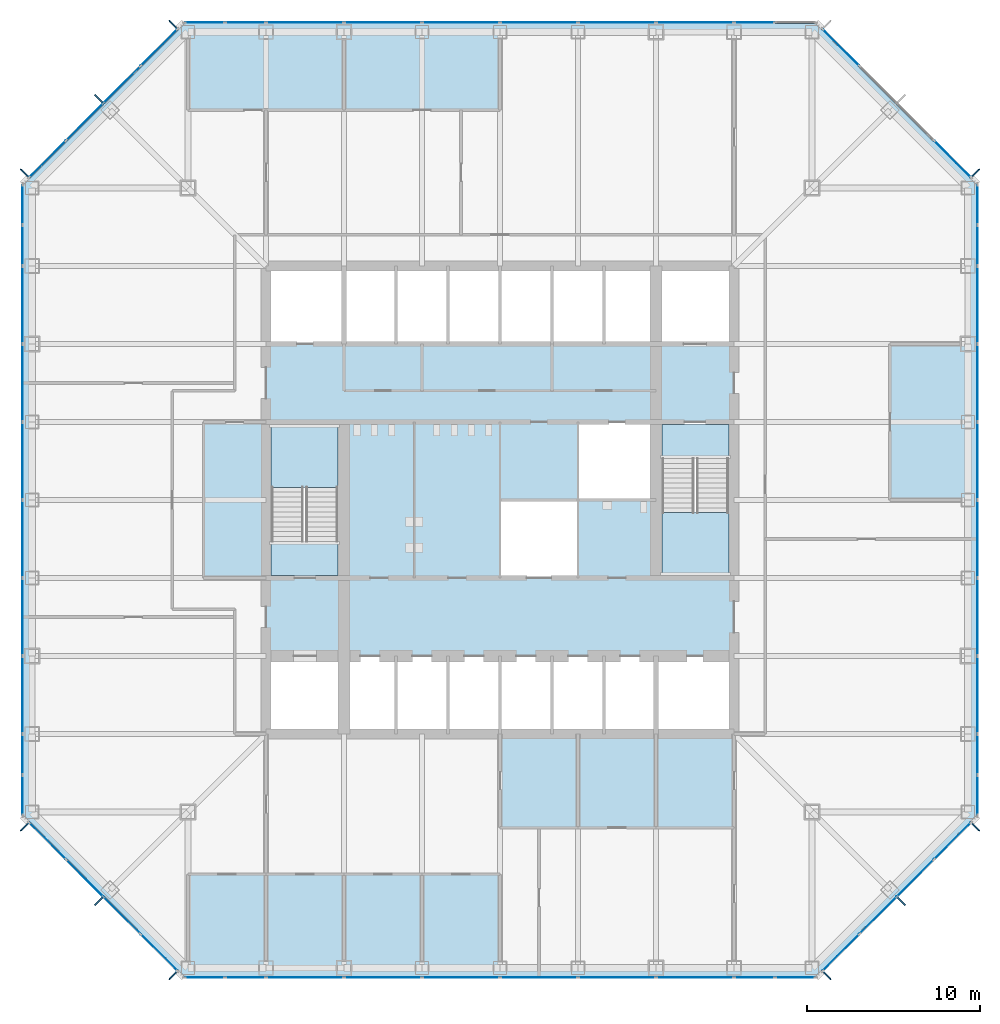
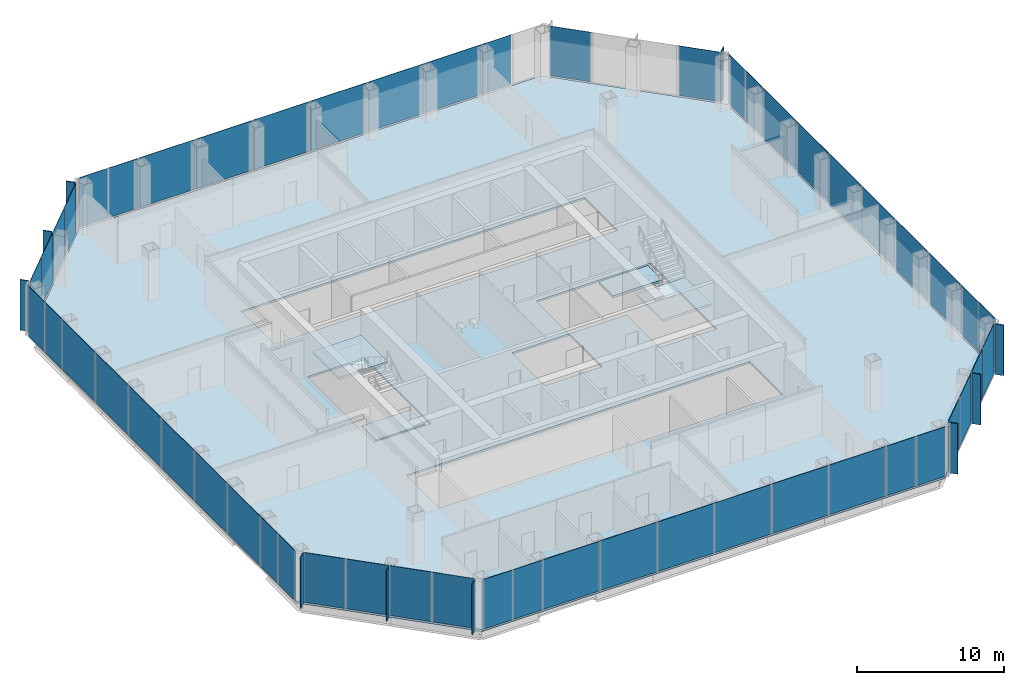
# One storey, part 7 of 13: 63 plates, 5 slabs, 10 elements without a shape of their own.
"""IFC4 building model written with IfcOpenShell, lengths in metres."""

from ifc_helpers import new_model, si_unit, direction, frame, origin, origin_2d, place, context, subcontext, project, spatial, polyline, rectangle, outline, extrude, material, layer, layer_set, type_object, element, aggregate, save


model = new_model("IFC4")

# Units and contexts
model_context = context("Model", 3, precision=1e-05, world=origin(), true_north=direction((0.0, 1.0)))
body_context = subcontext(model_context, "Body", "Model", "MODEL_VIEW")
ifc_project = project(units=[si_unit("LENGTHUNIT", "METRE"), si_unit("AREAUNIT", "SQUARE_METRE"), si_unit("VOLUMEUNIT", "CUBIC_METRE"), si_unit("PLANEANGLEUNIT", "RADIAN"), si_unit("MASSUNIT", "GRAM", prefix="KILO")], contexts=[model_context])

# Site, building, storey
site_placement = place(None, origin())
site = spatial("IfcSite", under=ifc_project, at=site_placement, CompositionType="ELEMENT")
building_placement = place(site_placement, origin())
building = spatial("IfcBuilding", under=site, at=building_placement, Name="Corais Broadcast Tower", CompositionType="ELEMENT")
storey_placement = place(building_placement, frame((0.0, 0.0, 96.199951171875)))
storey = spatial("IfcBuildingStorey", under=building, at=storey_placement, Name="L21", CompositionType="ELEMENT", Elevation=96.199951171875)

# Slab
ifc_material_1 = material(Name="Concrete C30/37", Category="concrete")
ifc_layer_1 = layer(ifc_material_1, 0.159912109375)
ifc_layer_set_1 = layer_set([ifc_layer_1], Name="Concrete C30/37")
slab_type_1 = type_object("IfcSlabType", Name="Composite floor slab 160", PredefinedType="FLOOR", material=ifc_layer_set_1)
slab_1_placement = place(storey_placement, frame((0.0, 0.0, -0.159912109375)))
element("IfcSlab", 1, at=slab_1_placement, inside=storey, type_object=slab_type_1, Name="S160 floor slab L21", PredefinedType="FLOOR", context=body_context, shape_type="SweptSolid", body=[
    extrude(outline(polyline([(8.80126953125, -0.47998046875), (-0.47998046875, 8.80126953125), (-0.47998046875, 45.19873046875), (8.80126953125, 54.47998046875), (45.19873046875, 54.47998046875), (54.47998046875, 45.19873046875), (54.47998046875, 8.80126953125), (45.19873046875, -0.47998046875), (8.80126953125, -0.47998046875)]), holes=[polyline([(13.5, 18.0), (40.5, 18.0), (40.5, 13.5), (13.5, 13.5), (13.5, 18.0)]), polyline([(13.5, 22.5), (13.5, 31.5), (18.0, 31.5), (18.0, 22.5), (13.5, 22.5)]), polyline([(13.5, 40.5), (40.5, 40.5), (40.5, 36.0), (13.5, 36.0), (13.5, 40.5)]), polyline([(27.0, 22.5), (27.0, 27.0), (31.4951171875, 27.0), (31.4951171875, 27.0048828125), (31.5, 27.0048828125), (31.5, 31.5), (40.5, 31.5), (40.5, 22.5), (36.0, 22.5), (36.0, 27.0), (31.5048828125, 27.0), (31.5048828125, 26.9951171875), (31.5, 26.9951171875), (31.5, 22.5), (27.0, 22.5)])]), origin(), (0.0, 0.0, 1.0), 0.159912109375),
])

# Curtain wall, plates
ifc_material_2 = material(Name="Aluminium and glass", Category="aluminium")
curtain_wall_type = type_object("IfcCurtainWallType", Name="Unitised fritted curtain wall CW1", PredefinedType="NOTDEFINED", material=ifc_material_2)
curtain_wall_1_placement = place(storey_placement, origin())
curtain_wall_1 = element("IfcCurtainWall", 2, at=curtain_wall_1_placement, inside=storey, type_object=curtain_wall_type, Name="CW1 curtain wall L21 1", PredefinedType="NOTDEFINED")
ifc_material_3 = material(Name="Ceramic-fritted laminated glass", Category="glass")
ifc_layer_2 = layer(ifc_material_3, 0.030029296875)
ifc_layer_set_2 = layer_set([ifc_layer_2], Name="Ceramic-fritted laminated glass")
plate_type_1 = type_object("IfcPlateType", Name="Fritted glass panel CW1", PredefinedType="CURTAIN_PANEL", material=ifc_layer_set_2)
plate_1_placement = place(storey_placement, frame((7.330322265625, 0.891845703125, 0.06494140625), z_axis=(0.0, 0.0, 1.0), x_axis=(-0.707106781187, 0.707106781187, 0.0)))
plate_1 = element("IfcPlate", 3, at=plate_1_placement, type_object=plate_type_1, Name="CW1 panel 1", PredefinedType="CURTAIN_PANEL", context=body_context, shape_type="SweptSolid", body=[
    extrude(rectangle(XDim=2.9482421875, YDim=0.030029296875, at=origin_2d()), origin(), (0.0, 0.0, 1.0), 4.135009765625),
])
plate_2_placement = place(storey_placement, frame((3.0341796875, 5.18798828125, 0.06494140625), z_axis=(0.0, 0.0, 1.0), x_axis=(-0.707106781187, 0.707106781187, 0.0)))
plate_2 = element("IfcPlate", 4, at=plate_2_placement, type_object=plate_type_1, Name="CW1 panel 3", PredefinedType="CURTAIN_PANEL", context=body_context, shape_type="SweptSolid", body=[
    extrude(rectangle(XDim=2.98095703125, YDim=0.030029296875, at=origin_2d()), origin(), (0.0, 0.0, 1.0), 4.135009765625),
])

curtain_wall_2_placement = place(storey_placement, origin())
curtain_wall_2 = element("IfcCurtainWall", 5, at=curtain_wall_2_placement, inside=storey, type_object=curtain_wall_type, Name="CW1 curtain wall L21 2", PredefinedType="NOTDEFINED")
plate_3_placement = place(storey_placement, frame((-0.550048828125, 9.970458984375, 0.06494140625), z_axis=(0.0, 0.0, 1.0), x_axis=(0.0, 1.0, 0.0)))
plate_3 = element("IfcPlate", 6, at=plate_3_placement, type_object=plate_type_1, Name="CW1 panel 1", PredefinedType="CURTAIN_PANEL", context=body_context, shape_type="SweptSolid", body=[
    extrude(rectangle(XDim=2.266357421875, YDim=0.030029296875, at=origin_2d()), origin(), (0.0, 0.0, 1.0), 4.135009765625),
])
plate_4_placement = place(storey_placement, frame((-0.550048828125, 15.75, 0.06494140625), z_axis=(0.0, 0.0, 1.0), x_axis=(0.0, 1.0, 0.0)))
plate_4 = element("IfcPlate", 7, at=plate_4_placement, type_object=plate_type_1, Name="CW1 panel 3", PredefinedType="CURTAIN_PANEL", context=body_context, shape_type="SweptSolid", body=[
    extrude(rectangle(XDim=4.43505859375, YDim=0.030029296875, at=origin_2d()), origin(), (0.0, 0.0, 1.0), 4.135009765625),
])
plate_5_placement = place(storey_placement, frame((-0.550048828125, 24.75, 0.06494140625), z_axis=(0.0, 0.0, 1.0), x_axis=(0.0, 1.0, 0.0)))
plate_5 = element("IfcPlate", 8, at=plate_5_placement, type_object=plate_type_1, Name="CW1 panel 5", PredefinedType="CURTAIN_PANEL", context=body_context, shape_type="SweptSolid", body=[
    extrude(rectangle(XDim=4.43505859375, YDim=0.030029296875, at=origin_2d()), origin(), (0.0, 0.0, 1.0), 4.135009765625),
])
plate_6_placement = place(storey_placement, frame((-0.550048828125, 33.75, 0.06494140625), z_axis=(0.0, 0.0, 1.0), x_axis=(0.0, 1.0, 0.0)))
plate_6 = element("IfcPlate", 9, at=plate_6_placement, type_object=plate_type_1, Name="CW1 panel 7", PredefinedType="CURTAIN_PANEL", context=body_context, shape_type="SweptSolid", body=[
    extrude(rectangle(XDim=4.43505859375, YDim=0.030029296875, at=origin_2d()), origin(), (0.0, 0.0, 1.0), 4.135009765625),
])
plate_7_placement = place(storey_placement, frame((-0.550048828125, 41.681884765625, 0.06494140625), z_axis=(0.0, 0.0, 1.0), x_axis=(0.0, 1.0, 0.0)))
plate_7 = element("IfcPlate", 10, at=plate_7_placement, type_object=plate_type_1, Name="CW1 panel 9", PredefinedType="CURTAIN_PANEL", context=body_context, shape_type="SweptSolid", body=[
    extrude(rectangle(XDim=2.298828125, YDim=0.030029296875, at=origin_2d()), origin(), (0.0, 0.0, 1.0), 4.135009765625),
])

curtain_wall_3_placement = place(storey_placement, origin())
curtain_wall_3 = element("IfcCurtainWall", 11, at=curtain_wall_3_placement, inside=storey, type_object=curtain_wall_type, Name="CW1 curtain wall L21 3", PredefinedType="NOTDEFINED")
plate_8_placement = place(storey_placement, frame((0.891845703125, 46.669677734375, 0.06494140625), z_axis=(0.0, 0.0, 1.0), x_axis=(0.707106781187, 0.707106781187, 0.0)))
plate_8 = element("IfcPlate", 12, at=plate_8_placement, type_object=plate_type_1, Name="CW1 panel 1", PredefinedType="CURTAIN_PANEL", context=body_context, shape_type="SweptSolid", body=[
    extrude(rectangle(XDim=2.9482421875, YDim=0.030029296875, at=origin_2d()), origin(), (0.0, 0.0, 1.0), 4.135009765625),
])
plate_9_placement = place(storey_placement, frame((5.18798828125, 50.9658203125, 0.06494140625), z_axis=(0.0, 0.0, 1.0), x_axis=(0.707106781187, 0.707106781187, 0.0)))
plate_9 = element("IfcPlate", 13, at=plate_9_placement, type_object=plate_type_1, Name="CW1 panel 3", PredefinedType="CURTAIN_PANEL", context=body_context, shape_type="SweptSolid", body=[
    extrude(rectangle(XDim=2.98095703125, YDim=0.030029296875, at=origin_2d()), origin(), (0.0, 0.0, 1.0), 4.135009765625),
])

curtain_wall_4_placement = place(storey_placement, origin())
curtain_wall_4 = element("IfcCurtainWall", 14, at=curtain_wall_4_placement, inside=storey, type_object=curtain_wall_type, Name="CW1 curtain wall L21 4", PredefinedType="NOTDEFINED")
plate_10_placement = place(storey_placement, frame((9.970458984375, 54.550048828125, 0.06494140625), z_axis=(0.0, 0.0, 1.0), x_axis=(1.0, 0.0, 0.0)))
plate_10 = element("IfcPlate", 15, at=plate_10_placement, type_object=plate_type_1, Name="CW1 panel 1", PredefinedType="CURTAIN_PANEL", context=body_context, shape_type="SweptSolid", body=[
    extrude(rectangle(XDim=2.266357421875, YDim=0.030029296875, at=origin_2d()), origin(), (0.0, 0.0, 1.0), 4.135009765625),
])
plate_11_placement = place(storey_placement, frame((15.75, 54.550048828125, 0.06494140625), z_axis=(0.0, 0.0, 1.0), x_axis=(1.0, 0.0, 0.0)))
plate_11 = element("IfcPlate", 16, at=plate_11_placement, type_object=plate_type_1, Name="CW1 panel 3", PredefinedType="CURTAIN_PANEL", context=body_context, shape_type="SweptSolid", body=[
    extrude(rectangle(XDim=4.43505859375, YDim=0.030029296875, at=origin_2d()), origin(), (0.0, 0.0, 1.0), 4.135009765625),
])
plate_12_placement = place(storey_placement, frame((24.75, 54.550048828125, 0.06494140625), z_axis=(0.0, 0.0, 1.0), x_axis=(1.0, 0.0, 0.0)))
plate_12 = element("IfcPlate", 17, at=plate_12_placement, type_object=plate_type_1, Name="CW1 panel 5", PredefinedType="CURTAIN_PANEL", context=body_context, shape_type="SweptSolid", body=[
    extrude(rectangle(XDim=4.43505859375, YDim=0.030029296875, at=origin_2d()), origin(), (0.0, 0.0, 1.0), 4.135009765625),
])
plate_13_placement = place(storey_placement, frame((33.75, 54.550048828125, 0.06494140625), z_axis=(0.0, 0.0, 1.0), x_axis=(1.0, 0.0, 0.0)))
plate_13 = element("IfcPlate", 18, at=plate_13_placement, type_object=plate_type_1, Name="CW1 panel 7", PredefinedType="CURTAIN_PANEL", context=body_context, shape_type="SweptSolid", body=[
    extrude(rectangle(XDim=4.43505859375, YDim=0.030029296875, at=origin_2d()), origin(), (0.0, 0.0, 1.0), 4.135009765625),
])
plate_14_placement = place(storey_placement, frame((41.681884765625, 54.550048828125, 0.06494140625), z_axis=(0.0, 0.0, 1.0), x_axis=(1.0, 0.0, 0.0)))
plate_14 = element("IfcPlate", 19, at=plate_14_placement, type_object=plate_type_1, Name="CW1 panel 9", PredefinedType="CURTAIN_PANEL", context=body_context, shape_type="SweptSolid", body=[
    extrude(rectangle(XDim=2.298828125, YDim=0.030029296875, at=origin_2d()), origin(), (0.0, 0.0, 1.0), 4.135009765625),
])

# Curtain wall, plate
curtain_wall_5_placement = place(storey_placement, origin())
curtain_wall_5 = element("IfcCurtainWall", 20, at=curtain_wall_5_placement, inside=storey, type_object=curtain_wall_type, Name="CW1 curtain wall L21 5", PredefinedType="NOTDEFINED")
plate_15_placement = place(storey_placement, frame((46.669677734375, 53.108154296875, 0.06494140625), z_axis=(0.0, 0.0, 1.0), x_axis=(0.707106781187, -0.707106781187, 0.0)))
plate_15 = element("IfcPlate", 21, at=plate_15_placement, type_object=plate_type_1, Name="CW1 panel 1", PredefinedType="CURTAIN_PANEL", context=body_context, shape_type="SweptSolid", body=[
    extrude(rectangle(XDim=2.9482421875, YDim=0.030029296875, at=origin_2d()), origin(), (0.0, 0.0, 1.0), 4.135009765625),
])

# Curtain wall, plates
curtain_wall_6_placement = place(storey_placement, origin())
curtain_wall_6 = element("IfcCurtainWall", 22, at=curtain_wall_6_placement, inside=storey, type_object=curtain_wall_type, Name="CW1 curtain wall L21 6", PredefinedType="NOTDEFINED")
plate_16_placement = place(storey_placement, frame((54.550048828125, 44.029541015625, 0.06494140625), z_axis=(0.0, 0.0, 1.0), x_axis=(0.0, -1.0, 0.0)))
plate_16 = element("IfcPlate", 23, at=plate_16_placement, type_object=plate_type_1, Name="CW1 panel 1", PredefinedType="CURTAIN_PANEL", context=body_context, shape_type="SweptSolid", body=[
    extrude(rectangle(XDim=2.266357421875, YDim=0.030029296875, at=origin_2d()), origin(), (0.0, 0.0, 1.0), 4.135009765625),
])
plate_17_placement = place(storey_placement, frame((54.550048828125, 38.25, 0.06494140625), z_axis=(0.0, 0.0, 1.0), x_axis=(0.0, -1.0, 0.0)))
plate_17 = element("IfcPlate", 24, at=plate_17_placement, type_object=plate_type_1, Name="CW1 panel 3", PredefinedType="CURTAIN_PANEL", context=body_context, shape_type="SweptSolid", body=[
    extrude(rectangle(XDim=4.43505859375, YDim=0.030029296875, at=origin_2d()), origin(), (0.0, 0.0, 1.0), 4.135009765625),
])
plate_18_placement = place(storey_placement, frame((54.550048828125, 29.25, 0.06494140625), z_axis=(0.0, 0.0, 1.0), x_axis=(0.0, -1.0, 0.0)))
plate_18 = element("IfcPlate", 25, at=plate_18_placement, type_object=plate_type_1, Name="CW1 panel 5", PredefinedType="CURTAIN_PANEL", context=body_context, shape_type="SweptSolid", body=[
    extrude(rectangle(XDim=4.43505859375, YDim=0.030029296875, at=origin_2d()), origin(), (0.0, 0.0, 1.0), 4.135009765625),
])
plate_19_placement = place(storey_placement, frame((54.550048828125, 20.25, 0.06494140625), z_axis=(0.0, 0.0, 1.0), x_axis=(0.0, -1.0, 0.0)))
plate_19 = element("IfcPlate", 26, at=plate_19_placement, type_object=plate_type_1, Name="CW1 panel 7", PredefinedType="CURTAIN_PANEL", context=body_context, shape_type="SweptSolid", body=[
    extrude(rectangle(XDim=4.43505859375, YDim=0.030029296875, at=origin_2d()), origin(), (0.0, 0.0, 1.0), 4.135009765625),
])
plate_20_placement = place(storey_placement, frame((54.550048828125, 12.318115234375, 0.06494140625), z_axis=(0.0, 0.0, 1.0), x_axis=(0.0, -1.0, 0.0)))
plate_20 = element("IfcPlate", 27, at=plate_20_placement, type_object=plate_type_1, Name="CW1 panel 9", PredefinedType="CURTAIN_PANEL", context=body_context, shape_type="SweptSolid", body=[
    extrude(rectangle(XDim=2.298828125, YDim=0.030029296875, at=origin_2d()), origin(), (0.0, 0.0, 1.0), 4.135009765625),
])

curtain_wall_7_placement = place(storey_placement, origin())
curtain_wall_7 = element("IfcCurtainWall", 28, at=curtain_wall_7_placement, inside=storey, type_object=curtain_wall_type, Name="CW1 curtain wall L21 7", PredefinedType="NOTDEFINED")
plate_21_placement = place(storey_placement, frame((53.108154296875, 7.330322265625, 0.06494140625), z_axis=(0.0, 0.0, 1.0), x_axis=(-0.707106781187, -0.707106781187, 0.0)))
plate_21 = element("IfcPlate", 29, at=plate_21_placement, type_object=plate_type_1, Name="CW1 panel 1", PredefinedType="CURTAIN_PANEL", context=body_context, shape_type="SweptSolid", body=[
    extrude(rectangle(XDim=2.9482421875, YDim=0.030029296875, at=origin_2d()), origin(), (0.0, 0.0, 1.0), 4.135009765625),
])
plate_22_placement = place(storey_placement, frame((48.81201171875, 3.0341796875, 0.06494140625), z_axis=(0.0, 0.0, 1.0), x_axis=(-0.707106781187, -0.707106781187, 0.0)))
plate_22 = element("IfcPlate", 30, at=plate_22_placement, type_object=plate_type_1, Name="CW1 panel 3", PredefinedType="CURTAIN_PANEL", context=body_context, shape_type="SweptSolid", body=[
    extrude(rectangle(XDim=2.98095703125, YDim=0.030029296875, at=origin_2d()), origin(), (0.0, 0.0, 1.0), 4.135009765625),
])

curtain_wall_8_placement = place(storey_placement, origin())
curtain_wall_8 = element("IfcCurtainWall", 31, at=curtain_wall_8_placement, inside=storey, type_object=curtain_wall_type, Name="CW1 curtain wall L21 8", PredefinedType="NOTDEFINED")
plate_23_placement = place(storey_placement, frame((44.029541015625, -0.550048828125, 0.06494140625), z_axis=(0.0, 0.0, 1.0), x_axis=(-1.0, 0.0, 0.0)))
plate_23 = element("IfcPlate", 32, at=plate_23_placement, type_object=plate_type_1, Name="CW1 panel 1", PredefinedType="CURTAIN_PANEL", context=body_context, shape_type="SweptSolid", body=[
    extrude(rectangle(XDim=2.266357421875, YDim=0.030029296875, at=origin_2d()), origin(), (0.0, 0.0, 1.0), 4.135009765625),
])
plate_24_placement = place(storey_placement, frame((38.25, -0.550048828125, 0.06494140625), z_axis=(0.0, 0.0, 1.0), x_axis=(-1.0, 0.0, 0.0)))
plate_24 = element("IfcPlate", 33, at=plate_24_placement, type_object=plate_type_1, Name="CW1 panel 3", PredefinedType="CURTAIN_PANEL", context=body_context, shape_type="SweptSolid", body=[
    extrude(rectangle(XDim=4.43505859375, YDim=0.030029296875, at=origin_2d()), origin(), (0.0, 0.0, 1.0), 4.135009765625),
])
plate_25_placement = place(storey_placement, frame((29.25, -0.550048828125, 0.06494140625), z_axis=(0.0, 0.0, 1.0), x_axis=(-1.0, 0.0, 0.0)))
plate_25 = element("IfcPlate", 34, at=plate_25_placement, type_object=plate_type_1, Name="CW1 panel 5", PredefinedType="CURTAIN_PANEL", context=body_context, shape_type="SweptSolid", body=[
    extrude(rectangle(XDim=4.43505859375, YDim=0.030029296875, at=origin_2d()), origin(), (0.0, 0.0, 1.0), 4.135009765625),
])
plate_26_placement = place(storey_placement, frame((20.25, -0.550048828125, 0.06494140625), z_axis=(0.0, 0.0, 1.0), x_axis=(-1.0, 0.0, 0.0)))
plate_26 = element("IfcPlate", 35, at=plate_26_placement, type_object=plate_type_1, Name="CW1 panel 7", PredefinedType="CURTAIN_PANEL", context=body_context, shape_type="SweptSolid", body=[
    extrude(rectangle(XDim=4.43505859375, YDim=0.030029296875, at=origin_2d()), origin(), (0.0, 0.0, 1.0), 4.135009765625),
])
plate_27_placement = place(storey_placement, frame((12.318115234375, -0.550048828125, 0.06494140625), z_axis=(0.0, 0.0, 1.0), x_axis=(-1.0, 0.0, 0.0)))
plate_27 = element("IfcPlate", 36, at=plate_27_placement, type_object=plate_type_1, Name="CW1 panel 9", PredefinedType="CURTAIN_PANEL", context=body_context, shape_type="SweptSolid", body=[
    extrude(rectangle(XDim=2.298828125, YDim=0.030029296875, at=origin_2d()), origin(), (0.0, 0.0, 1.0), 4.135009765625),
])

# Plate
ifc_material_4 = material(Name="Clear laminated glass", Category="glass")
ifc_layer_3 = layer(ifc_material_4, 0.033935546875)
ifc_layer_set_3 = layer_set([ifc_layer_3], Name="Clear laminated glass")
plate_type_2 = type_object("IfcPlateType", Name="Operable glass panel CW1", PredefinedType="CURTAIN_PANEL", material=ifc_layer_set_3)
plate_28_placement = place(storey_placement, frame((5.18798828125, 3.0341796875, 0.06494140625), z_axis=(0.0, 0.0, 1.0), x_axis=(-0.707106781187, 0.707106781187, 0.0)))
plate_28 = element("IfcPlate", 37, at=plate_28_placement, type_object=plate_type_2, Name="CW1 operable panel 2", PredefinedType="CURTAIN_PANEL", context=body_context, shape_type="SweptSolid", body=[
    extrude(rectangle(XDim=2.98095703125, YDim=0.033935546875, at=origin_2d()), origin(), (0.0, 0.0, 1.0), 4.135009765625),
])

plate_29_placement = place(storey_placement, frame((0.89208984375, 7.330322265625, 0.06494140625), z_axis=(0.0, 0.0, 1.0), x_axis=(-0.707106781187, 0.707106781187, 0.0)))
plate_29 = element("IfcPlate", 38, at=plate_29_placement, type_object=plate_type_2, Name="CW1 operable panel 4", PredefinedType="CURTAIN_PANEL", context=body_context, shape_type="SweptSolid", body=[
    extrude(rectangle(XDim=2.948486328125, YDim=0.033935546875, at=origin_2d()), origin(), (0.0, 0.0, 1.0), 4.135009765625),
])

aggregate(curtain_wall_1, [plate_1, plate_28, plate_2, plate_29])

plate_30_placement = place(storey_placement, frame((-0.550048828125, 12.318115234375, 0.06494140625), z_axis=(0.0, 0.0, 1.0), x_axis=(0.0, 1.0, 0.0)))
plate_30 = element("IfcPlate", 39, at=plate_30_placement, type_object=plate_type_2, Name="CW1 operable panel 2", PredefinedType="CURTAIN_PANEL", context=body_context, shape_type="SweptSolid", body=[
    extrude(rectangle(XDim=2.298828125, YDim=0.033935546875, at=origin_2d()), origin(), (0.0, 0.0, 1.0), 4.135009765625),
])

plate_31_placement = place(storey_placement, frame((-0.550048828125, 20.25, 0.06494140625), z_axis=(0.0, 0.0, 1.0), x_axis=(0.0, 1.0, 0.0)))
plate_31 = element("IfcPlate", 40, at=plate_31_placement, type_object=plate_type_2, Name="CW1 operable panel 4", PredefinedType="CURTAIN_PANEL", context=body_context, shape_type="SweptSolid", body=[
    extrude(rectangle(XDim=4.43505859375, YDim=0.033935546875, at=origin_2d()), origin(), (0.0, 0.0, 1.0), 4.135009765625),
])

plate_32_placement = place(storey_placement, frame((-0.550048828125, 29.25, 0.06494140625), z_axis=(0.0, 0.0, 1.0), x_axis=(0.0, 1.0, 0.0)))
plate_32 = element("IfcPlate", 41, at=plate_32_placement, type_object=plate_type_2, Name="CW1 operable panel 6", PredefinedType="CURTAIN_PANEL", context=body_context, shape_type="SweptSolid", body=[
    extrude(rectangle(XDim=4.43505859375, YDim=0.033935546875, at=origin_2d()), origin(), (0.0, 0.0, 1.0), 4.135009765625),
])

plate_33_placement = place(storey_placement, frame((-0.550048828125, 38.25, 0.06494140625), z_axis=(0.0, 0.0, 1.0), x_axis=(0.0, 1.0, 0.0)))
plate_33 = element("IfcPlate", 42, at=plate_33_placement, type_object=plate_type_2, Name="CW1 operable panel 8", PredefinedType="CURTAIN_PANEL", context=body_context, shape_type="SweptSolid", body=[
    extrude(rectangle(XDim=4.43505859375, YDim=0.033935546875, at=origin_2d()), origin(), (0.0, 0.0, 1.0), 4.135009765625),
])

plate_34_placement = place(storey_placement, frame((-0.550048828125, 44.029541015625, 0.06494140625), z_axis=(0.0, 0.0, 1.0), x_axis=(0.0, 1.0, 0.0)))
plate_34 = element("IfcPlate", 43, at=plate_34_placement, type_object=plate_type_2, Name="CW1 operable panel 10", PredefinedType="CURTAIN_PANEL", context=body_context, shape_type="SweptSolid", body=[
    extrude(rectangle(XDim=2.266357421875, YDim=0.033935546875, at=origin_2d()), origin(), (0.0, 0.0, 1.0), 4.135009765625),
])

aggregate(curtain_wall_2, [plate_3, plate_30, plate_4, plate_31, plate_5, plate_32, plate_6, plate_33, plate_7, plate_34])

plate_35_placement = place(storey_placement, frame((3.0341796875, 48.81201171875, 0.06494140625), z_axis=(0.0, 0.0, 1.0), x_axis=(0.707106781187, 0.707106781187, 0.0)))
plate_35 = element("IfcPlate", 44, at=plate_35_placement, type_object=plate_type_2, Name="CW1 operable panel 2", PredefinedType="CURTAIN_PANEL", context=body_context, shape_type="SweptSolid", body=[
    extrude(rectangle(XDim=2.98095703125, YDim=0.033935546875, at=origin_2d()), origin(), (0.0, 0.0, 1.0), 4.135009765625),
])

plate_36_placement = place(storey_placement, frame((7.330322265625, 53.10791015625, 0.06494140625), z_axis=(0.0, 0.0, 1.0), x_axis=(0.707106781187, 0.707106781187, 0.0)))
plate_36 = element("IfcPlate", 45, at=plate_36_placement, type_object=plate_type_2, Name="CW1 operable panel 4", PredefinedType="CURTAIN_PANEL", context=body_context, shape_type="SweptSolid", body=[
    extrude(rectangle(XDim=2.948486328125, YDim=0.033935546875, at=origin_2d()), origin(), (0.0, 0.0, 1.0), 4.135009765625),
])

aggregate(curtain_wall_3, [plate_8, plate_35, plate_9, plate_36])

plate_37_placement = place(storey_placement, frame((12.318115234375, 54.550048828125, 0.06494140625), z_axis=(0.0, 0.0, 1.0), x_axis=(1.0, 0.0, 0.0)))
plate_37 = element("IfcPlate", 46, at=plate_37_placement, type_object=plate_type_2, Name="CW1 operable panel 2", PredefinedType="CURTAIN_PANEL", context=body_context, shape_type="SweptSolid", body=[
    extrude(rectangle(XDim=2.298828125, YDim=0.033935546875, at=origin_2d()), origin(), (0.0, 0.0, 1.0), 4.135009765625),
])

plate_38_placement = place(storey_placement, frame((20.25, 54.550048828125, 0.06494140625), z_axis=(0.0, 0.0, 1.0), x_axis=(1.0, 0.0, 0.0)))
plate_38 = element("IfcPlate", 47, at=plate_38_placement, type_object=plate_type_2, Name="CW1 operable panel 4", PredefinedType="CURTAIN_PANEL", context=body_context, shape_type="SweptSolid", body=[
    extrude(rectangle(XDim=4.43505859375, YDim=0.033935546875, at=origin_2d()), origin(), (0.0, 0.0, 1.0), 4.135009765625),
])

plate_39_placement = place(storey_placement, frame((29.25, 54.550048828125, 0.06494140625), z_axis=(0.0, 0.0, 1.0), x_axis=(1.0, 0.0, 0.0)))
plate_39 = element("IfcPlate", 48, at=plate_39_placement, type_object=plate_type_2, Name="CW1 operable panel 6", PredefinedType="CURTAIN_PANEL", context=body_context, shape_type="SweptSolid", body=[
    extrude(rectangle(XDim=4.43505859375, YDim=0.033935546875, at=origin_2d()), origin(), (0.0, 0.0, 1.0), 4.135009765625),
])

plate_40_placement = place(storey_placement, frame((38.25, 54.550048828125, 0.06494140625), z_axis=(0.0, 0.0, 1.0), x_axis=(1.0, 0.0, 0.0)))
plate_40 = element("IfcPlate", 49, at=plate_40_placement, type_object=plate_type_2, Name="CW1 operable panel 8", PredefinedType="CURTAIN_PANEL", context=body_context, shape_type="SweptSolid", body=[
    extrude(rectangle(XDim=4.43505859375, YDim=0.033935546875, at=origin_2d()), origin(), (0.0, 0.0, 1.0), 4.135009765625),
])

aggregate(curtain_wall_4, [plate_10, plate_37, plate_11, plate_38, plate_12, plate_39, plate_13, plate_40, plate_14])

plate_41_placement = place(storey_placement, frame((53.10791015625, 46.669677734375, 0.06494140625), z_axis=(0.0, 0.0, 1.0), x_axis=(0.707106781187, -0.707106781187, 0.0)))
plate_41 = element("IfcPlate", 50, at=plate_41_placement, type_object=plate_type_2, Name="CW1 operable panel 4", PredefinedType="CURTAIN_PANEL", context=body_context, shape_type="SweptSolid", body=[
    extrude(rectangle(XDim=2.948486328125, YDim=0.033935546875, at=origin_2d()), origin(), (0.0, 0.0, 1.0), 4.135009765625),
])

aggregate(curtain_wall_5, [plate_15, plate_41])

plate_42_placement = place(storey_placement, frame((54.550048828125, 41.681884765625, 0.06494140625), z_axis=(0.0, 0.0, 1.0), x_axis=(0.0, -1.0, 0.0)))
plate_42 = element("IfcPlate", 51, at=plate_42_placement, type_object=plate_type_2, Name="CW1 operable panel 2", PredefinedType="CURTAIN_PANEL", context=body_context, shape_type="SweptSolid", body=[
    extrude(rectangle(XDim=2.298828125, YDim=0.033935546875, at=origin_2d()), origin(), (0.0, 0.0, 1.0), 4.135009765625),
])

plate_43_placement = place(storey_placement, frame((54.550048828125, 33.75, 0.06494140625), z_axis=(0.0, 0.0, 1.0), x_axis=(0.0, -1.0, 0.0)))
plate_43 = element("IfcPlate", 52, at=plate_43_placement, type_object=plate_type_2, Name="CW1 operable panel 4", PredefinedType="CURTAIN_PANEL", context=body_context, shape_type="SweptSolid", body=[
    extrude(rectangle(XDim=4.43505859375, YDim=0.033935546875, at=origin_2d()), origin(), (0.0, 0.0, 1.0), 4.135009765625),
])

plate_44_placement = place(storey_placement, frame((54.550048828125, 24.75, 0.06494140625), z_axis=(0.0, 0.0, 1.0), x_axis=(0.0, -1.0, 0.0)))
plate_44 = element("IfcPlate", 53, at=plate_44_placement, type_object=plate_type_2, Name="CW1 operable panel 6", PredefinedType="CURTAIN_PANEL", context=body_context, shape_type="SweptSolid", body=[
    extrude(rectangle(XDim=4.43505859375, YDim=0.033935546875, at=origin_2d()), origin(), (0.0, 0.0, 1.0), 4.135009765625),
])

plate_45_placement = place(storey_placement, frame((54.550048828125, 15.75, 0.06494140625), z_axis=(0.0, 0.0, 1.0), x_axis=(0.0, -1.0, 0.0)))
plate_45 = element("IfcPlate", 54, at=plate_45_placement, type_object=plate_type_2, Name="CW1 operable panel 8", PredefinedType="CURTAIN_PANEL", context=body_context, shape_type="SweptSolid", body=[
    extrude(rectangle(XDim=4.43505859375, YDim=0.033935546875, at=origin_2d()), origin(), (0.0, 0.0, 1.0), 4.135009765625),
])

plate_46_placement = place(storey_placement, frame((54.550048828125, 9.970458984375, 0.06494140625), z_axis=(0.0, 0.0, 1.0), x_axis=(0.0, -1.0, 0.0)))
plate_46 = element("IfcPlate", 55, at=plate_46_placement, type_object=plate_type_2, Name="CW1 operable panel 10", PredefinedType="CURTAIN_PANEL", context=body_context, shape_type="SweptSolid", body=[
    extrude(rectangle(XDim=2.266357421875, YDim=0.033935546875, at=origin_2d()), origin(), (0.0, 0.0, 1.0), 4.135009765625),
])

aggregate(curtain_wall_6, [plate_16, plate_42, plate_17, plate_43, plate_18, plate_44, plate_19, plate_45, plate_20, plate_46])

plate_47_placement = place(storey_placement, frame((50.9658203125, 5.18798828125, 0.06494140625), z_axis=(0.0, 0.0, 1.0), x_axis=(-0.707106781187, -0.707106781187, 0.0)))
plate_47 = element("IfcPlate", 56, at=plate_47_placement, type_object=plate_type_2, Name="CW1 operable panel 2", PredefinedType="CURTAIN_PANEL", context=body_context, shape_type="SweptSolid", body=[
    extrude(rectangle(XDim=2.98095703125, YDim=0.033935546875, at=origin_2d()), origin(), (0.0, 0.0, 1.0), 4.135009765625),
])

plate_48_placement = place(storey_placement, frame((46.669677734375, 0.89208984375, 0.06494140625), z_axis=(0.0, 0.0, 1.0), x_axis=(-0.707106781187, -0.707106781187, 0.0)))
plate_48 = element("IfcPlate", 57, at=plate_48_placement, type_object=plate_type_2, Name="CW1 operable panel 4", PredefinedType="CURTAIN_PANEL", context=body_context, shape_type="SweptSolid", body=[
    extrude(rectangle(XDim=2.948486328125, YDim=0.033935546875, at=origin_2d()), origin(), (0.0, 0.0, 1.0), 4.135009765625),
])

aggregate(curtain_wall_7, [plate_21, plate_47, plate_22, plate_48])

plate_49_placement = place(storey_placement, frame((41.681884765625, -0.550048828125, 0.06494140625), z_axis=(0.0, 0.0, 1.0), x_axis=(-1.0, 0.0, 0.0)))
plate_49 = element("IfcPlate", 58, at=plate_49_placement, type_object=plate_type_2, Name="CW1 operable panel 2", PredefinedType="CURTAIN_PANEL", context=body_context, shape_type="SweptSolid", body=[
    extrude(rectangle(XDim=2.298828125, YDim=0.033935546875, at=origin_2d()), origin(), (0.0, 0.0, 1.0), 4.135009765625),
])

plate_50_placement = place(storey_placement, frame((33.75, -0.550048828125, 0.06494140625), z_axis=(0.0, 0.0, 1.0), x_axis=(-1.0, 0.0, 0.0)))
plate_50 = element("IfcPlate", 59, at=plate_50_placement, type_object=plate_type_2, Name="CW1 operable panel 4", PredefinedType="CURTAIN_PANEL", context=body_context, shape_type="SweptSolid", body=[
    extrude(rectangle(XDim=4.43505859375, YDim=0.033935546875, at=origin_2d()), origin(), (0.0, 0.0, 1.0), 4.135009765625),
])

plate_51_placement = place(storey_placement, frame((24.75, -0.550048828125, 0.06494140625), z_axis=(0.0, 0.0, 1.0), x_axis=(-1.0, 0.0, 0.0)))
plate_51 = element("IfcPlate", 60, at=plate_51_placement, type_object=plate_type_2, Name="CW1 operable panel 6", PredefinedType="CURTAIN_PANEL", context=body_context, shape_type="SweptSolid", body=[
    extrude(rectangle(XDim=4.43505859375, YDim=0.033935546875, at=origin_2d()), origin(), (0.0, 0.0, 1.0), 4.135009765625),
])

plate_52_placement = place(storey_placement, frame((15.75, -0.550048828125, 0.06494140625), z_axis=(0.0, 0.0, 1.0), x_axis=(-1.0, 0.0, 0.0)))
plate_52 = element("IfcPlate", 61, at=plate_52_placement, type_object=plate_type_2, Name="CW1 operable panel 8", PredefinedType="CURTAIN_PANEL", context=body_context, shape_type="SweptSolid", body=[
    extrude(rectangle(XDim=4.43505859375, YDim=0.033935546875, at=origin_2d()), origin(), (0.0, 0.0, 1.0), 4.135009765625),
])

plate_53_placement = place(storey_placement, frame((9.970458984375, -0.550048828125, 0.06494140625), z_axis=(0.0, 0.0, 1.0), x_axis=(-1.0, 0.0, 0.0)))
plate_53 = element("IfcPlate", 62, at=plate_53_placement, type_object=plate_type_2, Name="CW1 operable panel 10", PredefinedType="CURTAIN_PANEL", context=body_context, shape_type="SweptSolid", body=[
    extrude(rectangle(XDim=2.266357421875, YDim=0.033935546875, at=origin_2d()), origin(), (0.0, 0.0, 1.0), 4.135009765625),
])

aggregate(curtain_wall_8, [plate_23, plate_49, plate_24, plate_50, plate_25, plate_51, plate_26, plate_52, plate_27, plate_53])

# Stair, slabs
ifc_material_5 = material(Name="Concrete C30/37", Category="concrete")
stair_type = type_object("IfcStairType", Name="Half-turn stair 4200", PredefinedType="HALF_TURN_STAIR", material=ifc_material_5)
stair_1_placement = place(storey_placement, origin())
stair_1 = element("IfcStair", 63, at=stair_1_placement, inside=storey, type_object=stair_type, Name="Stair A L21", PredefinedType="HALF_TURN_STAIR")
ifc_material_6 = material(Name="Concrete C30/37", Category="concrete")
ifc_layer_4 = layer(ifc_material_6, 0.199951171875)
ifc_layer_set_4 = layer_set([ifc_layer_4], Name="Concrete C30/37")
slab_type_2 = type_object("IfcSlabType", Name="Stair landing 200", PredefinedType="LANDING", material=ifc_layer_set_4)
slab_2_placement = place(storey_placement, frame((0.0, 0.0, -0.199951171875)))
slab_2 = element("IfcSlab", 64, at=slab_2_placement, type_object=slab_type_2, Name="STA landing 1", PredefinedType="LANDING", context=body_context, shape_type="SweptSolid", body=[
    extrude(outline(polyline([(13.800048828125, 22.64990234375), (17.64990234375, 22.64990234375), (17.64990234375, 24.60009765625), (13.800048828125, 24.60009765625), (13.800048828125, 22.64990234375)])), origin(), (0.0, 0.0, 1.0), 0.199951171875),
])
slab_3_placement = place(storey_placement, frame((0.0, 0.0, 1.900146484375)))
slab_3 = element("IfcSlab", 65, at=slab_3_placement, type_object=slab_type_2, Name="STA landing 2", PredefinedType="LANDING", context=body_context, shape_type="SweptSolid", body=[
    extrude(outline(polyline([(13.800048828125, 27.735107421875), (17.64990234375, 27.735107421875), (17.64990234375, 31.35009765625), (13.800048828125, 31.35009765625), (13.800048828125, 27.735107421875)])), origin(), (0.0, 0.0, 1.0), 0.199951171875),
])
aggregate(stair_1, [slab_2, slab_3])

stair_2_placement = place(storey_placement, origin())
stair_2 = element("IfcStair", 66, at=stair_2_placement, inside=storey, type_object=stair_type, Name="Stair B L21", PredefinedType="HALF_TURN_STAIR")
slab_4_placement = place(storey_placement, frame((0.0, 0.0, -0.199951171875)))
slab_4 = element("IfcSlab", 67, at=slab_4_placement, type_object=slab_type_2, Name="STB landing 1", PredefinedType="LANDING", context=body_context, shape_type="SweptSolid", body=[
    extrude(outline(polyline([(36.35009765625, 29.39990234375), (40.199951171875, 29.39990234375), (40.199951171875, 31.35009765625), (36.35009765625, 31.35009765625), (36.35009765625, 29.39990234375)])), origin(), (0.0, 0.0, 1.0), 0.199951171875),
])
slab_5_placement = place(storey_placement, frame((0.0, 0.0, 1.900146484375)))
slab_5 = element("IfcSlab", 68, at=slab_5_placement, type_object=slab_type_2, Name="STB landing 2", PredefinedType="LANDING", context=body_context, shape_type="SweptSolid", body=[
    extrude(outline(polyline([(36.35009765625, 22.64990234375), (40.199951171875, 22.64990234375), (40.199951171875, 26.264892578125), (36.35009765625, 26.264892578125), (36.35009765625, 22.64990234375)])), origin(), (0.0, 0.0, 1.0), 0.199951171875),
])
aggregate(stair_2, [slab_4, slab_5])

# Plates
ifc_material_7 = material(Name="Granite stone cladding", Category="masonry")
ifc_layer_5 = layer(ifc_material_7, 0.080078125)
ifc_layer_set_5 = layer_set([ifc_layer_5], Name="Granite stone cladding")
plate_type_3 = type_object("IfcPlateType", Name="Stone screen fin 80x600", PredefinedType="USERDEFINED", material=ifc_layer_set_5)
for number, where, z_axis, x_axis, name in (
    (69, (8.114990234375, -0.4541015625, 0.0), (0.0, 0.0, 1.0), (-0.707106781187, 0.707106781187, 0.0), "SF1 stone screen fin L21"),
    (70, (3.830322265625, 3.830322265625, 0.0), (0.0, 0.0, 1.0), (-0.707106781187, 0.707106781187, 0.0), "SF1 stone screen fin L21"),
    (71, (-0.4541015625, 8.114990234375, 0.0), (0.0, 0.0, 1.0), (-0.707106781187, 0.707106781187, 0.0), "SF1 stone screen fin L21"),
    (72, (-0.4541015625, 45.885009765625, 0.0), (0.0, 0.0, 1.0), (0.707106781187, 0.707106781187, 0.0), "SF1 stone screen fin L21"),
    (73, (3.830322265625, 50.169677734375, 0.0), (0.0, 0.0, 1.0), (0.707106781187, 0.707106781187, 0.0), "SF1 stone screen fin L21"),
    (74, (8.114990234375, 54.4541015625, 0.0), (0.0, 0.0, 1.0), (0.707106781187, 0.707106781187, 0.0), "SF1 stone screen fin L21"),
    (75, (54.4541015625, 45.885009765625, 0.0), (0.0, 0.0, 1.0), (0.707106781187, -0.707106781187, 0.0), "SF1 stone screen fin L21"),
    (76, (54.4541015625, 8.114990234375, 0.0), (0.0, 0.0, 1.0), (-0.707106781187, -0.707106781187, 0.0), "SF1 stone screen fin L21"),
    (77, (50.169677734375, 3.830322265625, 0.0), (0.0, 0.0, 1.0), (-0.707106781187, -0.707106781187, 0.0), "SF1 stone screen fin L21"),
    (78, (45.885009765625, -0.4541015625, 0.0), (0.0, 0.0, 1.0), (-0.707106781187, -0.707106781187, 0.0), "SF1 stone screen fin L21"),
):
    element("IfcPlate", number, at=place(storey_placement, frame(where, z_axis=z_axis, x_axis=x_axis)), inside=storey, type_object=plate_type_3, Name=name, ObjectType="STONE SCREEN FIN", PredefinedType="USERDEFINED", context=body_context, shape_type="SweptSolid", body=[
        extrude(rectangle(XDim=0.080078125, YDim=0.60009765625, at=origin_2d()), origin(), (0.0, 0.0, 1.0), 4.199951171875),
    ])

save(model, "model.ifc")
